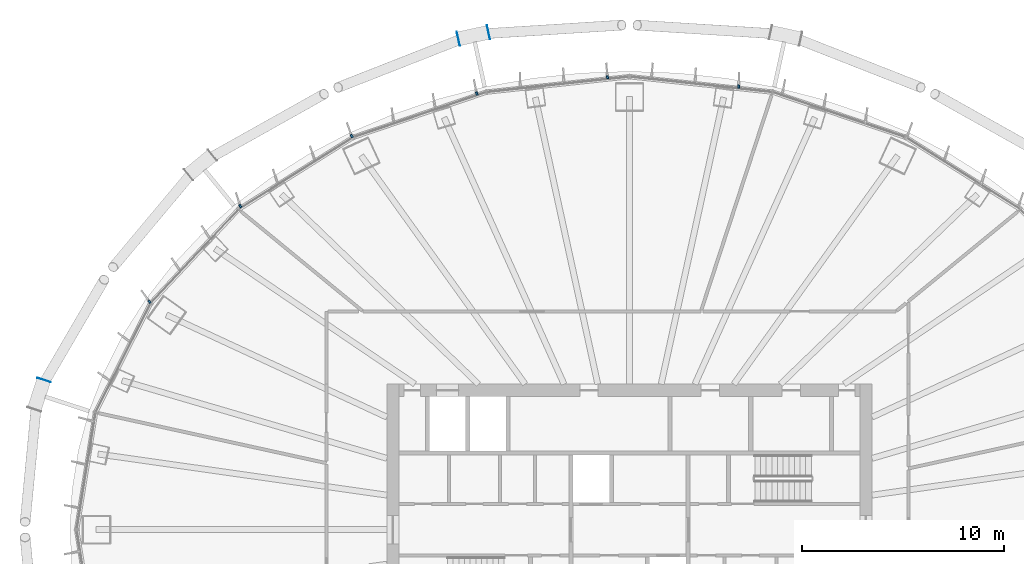
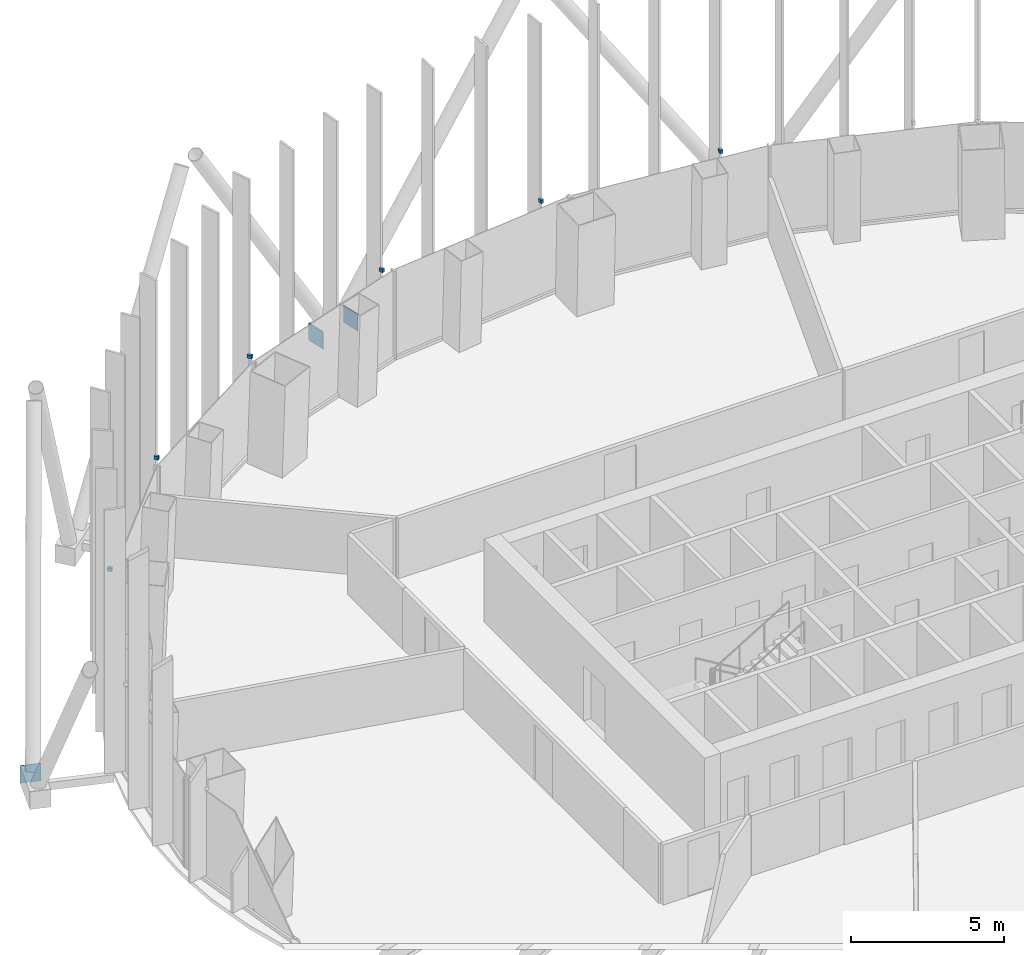
# One storey, part 14 of 19: 9 discrete accessories.
"""IFC4 building model written with IfcOpenShell, lengths in metres."""

from ifc_helpers import new_model, si_unit, direction, frame, origin, origin_2d, place, context, subcontext, project, spatial, rectangle, extrude, material, layer, layer_set, type_object, element, save


model = new_model("IFC4")

# Units and contexts
model_context = context("Model", 3, precision=1e-05, world=origin(), true_north=direction((0.0, 1.0)))
body_context = subcontext(model_context, "Body", "Model", "MODEL_VIEW")
ifc_project = project(units=[si_unit("LENGTHUNIT", "METRE"), si_unit("AREAUNIT", "SQUARE_METRE"), si_unit("VOLUMEUNIT", "CUBIC_METRE"), si_unit("PLANEANGLEUNIT", "RADIAN"), si_unit("MASSUNIT", "GRAM", prefix="KILO")], contexts=[model_context])

# Site, building, storey
site_placement = place(None, origin())
site = spatial("IfcSite", under=ifc_project, at=site_placement, CompositionType="ELEMENT")
building_placement = place(site_placement, origin())
building = spatial("IfcBuilding", under=site, at=building_placement, Name="Siaravel Broadcast Tower", CompositionType="ELEMENT")
storey_placement = place(building_placement, frame((0.0, 0.0, 59.300048828125)))
storey = spatial("IfcBuildingStorey", under=building, at=storey_placement, Name="L13", CompositionType="ELEMENT", Elevation=59.300048828125)

# Discrete accessories
ifc_material_1 = material(Name="Stainless steel 316", Category="steel")
discrete_accessory_type_1 = type_object("IfcDiscreteAccessoryType", Name="Stainless steel fin bracket", PredefinedType="USERDEFINED", material=ifc_material_1)
for number, where, z_axis, x_axis, name in (
    (1, (5.404052734375, 21.917724609375, 3.68994140625), (0.0, 0.0, 1.0), (0.107216783, 0.994235667, 0.0), "Fin bracket L13-16"),
    (2, (-1.08837890625, 22.383056640625, 3.68994140625), (0.0, 0.0, 1.0), (-0.107216783, 0.994235667, 0.0), "Fin bracket L13-19"),
    (3, (-7.558349609375, 21.578125, 3.68994140625), (0.0, 0.0, 1.0), (-0.321298982, 0.946977806, 0.0), "Fin bracket L13-22"),
    (4, (-13.740234375, 19.4716796875, 3.68994140625), (0.0, 0.0, 1.0), (-0.532147974, 0.846651365, 0.0), "Fin bracket L13-25"),
    (5, (-19.25244140625, 16.007080078125, 3.68994140625), (0.0, 0.0, 1.0), (-0.532147974, 0.846651365, 0.0), "Fin bracket L13-28"),
    (6, (-23.746337890625, 11.271240234375, 3.68994140625), (0.0, 0.0, 1.0), (-0.729804415, 0.683655992, 0.0), "Fin bracket L13-31"),
):
    element("IfcDiscreteAccessory", number, at=place(storey_placement, frame(where, z_axis=z_axis, x_axis=x_axis)), inside=storey, type_object=discrete_accessory_type_1, Name=name, ObjectType="BRACKET", PredefinedType="USERDEFINED", context=body_context, shape_type="SweptSolid", body=[
        extrude(rectangle(XDim=0.159912109375, YDim=0.10009765625, at=origin_2d()), origin(), (0.0, 0.0, 1.0), 0.139892578125),
    ])
ifc_material_2 = material(Name="Steel S355", Category="steel")
ifc_layer = layer(ifc_material_2, 0.02001953125)
ifc_layer_set = layer_set([ifc_layer], Name="Steel S355")
discrete_accessory_type_2 = type_object("IfcDiscreteAccessoryType", Name="Steel end plate 20 mm", PredefinedType="USERDEFINED", material=ifc_layer_set)
for number, where, z_axis, x_axis, name in (
    (7, (-8.4677734375, 24.27783203125, -0.5498046875), (0.0, 0.0, 1.0), (-0.976750917, -0.214377344, 0.0), "End plate R06 station 21A"),
    (8, (-6.976318359375, 24.605224609375, -0.5498046875), (0.0, 0.0, 1.0), (-0.976750917, -0.214377344, 0.0), "End plate R06 station 21B"),
    (9, (-28.972412109375, 7.402587890625, -0.5498046875), (0.0, 0.0, 1.0), (-0.310908675, -0.950439791, 0.0), "End plate R06 station 33B"),
):
    element("IfcDiscreteAccessory", number, at=place(storey_placement, frame(where, z_axis=z_axis, x_axis=x_axis)), inside=storey, type_object=discrete_accessory_type_2, Name=name, ObjectType="END PLATE", PredefinedType="USERDEFINED", context=body_context, shape_type="SweptSolid", body=[
        extrude(rectangle(XDim=0.02001953125, YDim=0.699951171875, at=origin_2d()), origin(), (0.0, 0.0, 1.0), 0.699951171875),
    ])

save(model, "model.ifc")
